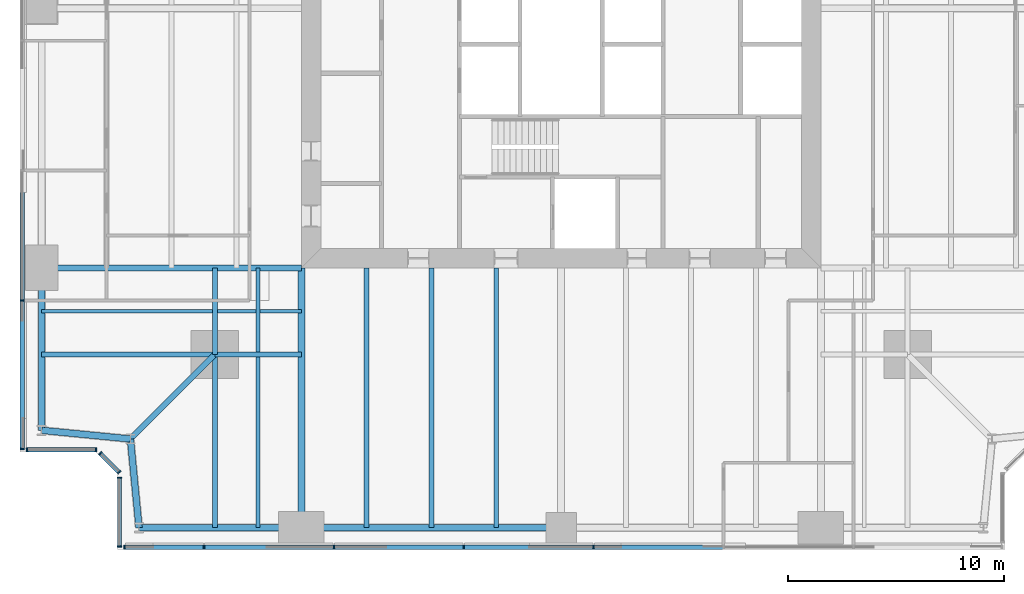
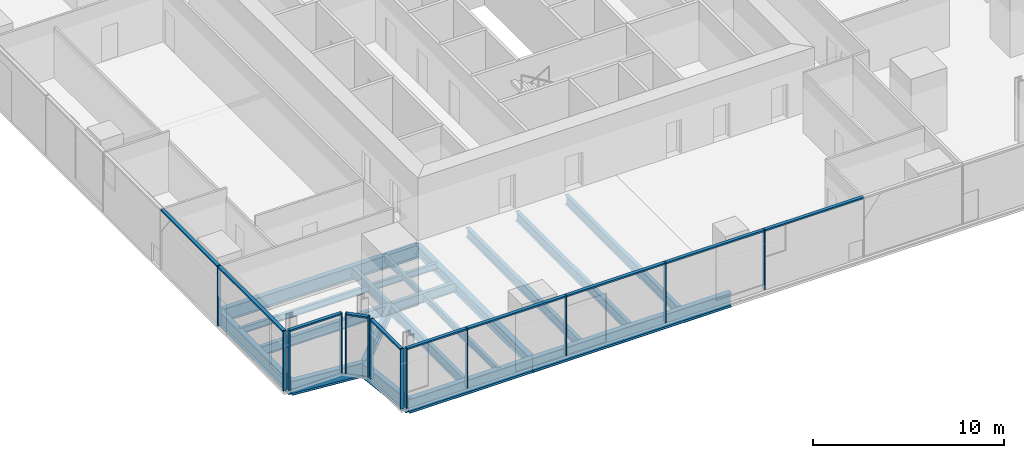
# One storey, part 2 of 14: 23 members, 20 beams, 5 elements without a shape of their own.
"""IFC4 building model written with IfcOpenShell, lengths in metres."""

from ifc_helpers import new_model, si_unit, direction, frame, origin, origin_2d, place, context, subcontext, project, spatial, rectangle, i_section, extrude, material, material_profile, profile_set, type_object, element, aggregate, save


model = new_model("IFC4")

# Units and contexts
model_context = context("Model", 3, precision=1e-05, world=origin(), true_north=direction((0.0, 1.0)))
body_context = subcontext(model_context, "Body", "Model", "MODEL_VIEW")
ifc_project = project(units=[si_unit("LENGTHUNIT", "METRE"), si_unit("AREAUNIT", "SQUARE_METRE"), si_unit("VOLUMEUNIT", "CUBIC_METRE"), si_unit("PLANEANGLEUNIT", "RADIAN"), si_unit("MASSUNIT", "GRAM", prefix="KILO")], contexts=[model_context])

# Site, building, storey
site_placement = place(None, origin())
site = spatial("IfcSite", under=ifc_project, at=site_placement, CompositionType="ELEMENT")
building_placement = place(site_placement, origin())
building = spatial("IfcBuilding", under=site, at=building_placement, Name="Fenwick Lantern Interchange", CompositionType="ELEMENT")
storey_placement = place(building_placement, frame((0.0, 0.0, 118.39990234375)))
storey = spatial("IfcBuildingStorey", under=building, at=storey_placement, Name="L27", CompositionType="ELEMENT", Elevation=118.39990234375)

# Beams
ifc_material_1 = material(Name="Steel ASTM A992 Grade 50", Category="steel")
ifc_material_profile_1 = material_profile(ifc_material_1, i_section(OverallWidth=0.3046875, OverallDepth=0.911865234375, WebThickness=0.015869140625, FlangeThickness=0.02392578125, at=origin_2d()), Name="W36X150")
ifc_profile_set_1 = profile_set([ifc_material_profile_1], Name="Steel ASTM A992 Grade 50")
beam_type_1 = type_object("IfcBeamType", Name="EDGE BEAM W36X150", PredefinedType="SPANDREL", material=ifc_profile_set_1)
beam_1_placement = place(storey_placement, frame((5.5, 1.0, -0.605712890625), z_axis=(1.0, 0.0, 0.0), x_axis=(0.0, 1.0, 0.0)))
element("IfcBeam", 1, at=beam_1_placement, inside=storey, type_object=beam_type_1, Name="L27/FR/S/EB1", PredefinedType="SPANDREL", context=body_context, shape_type="SweptSolid", body=[
    extrude(i_section(OverallWidth=0.3046875, OverallDepth=0.911865234375, WebThickness=0.015869140625, FlangeThickness=0.02392578125, at=origin_2d()), origin(), (0.0, 0.0, 1.0), 7.5),
])
beam_2_placement = place(storey_placement, frame((13.0, 1.0, -0.605712890625), z_axis=(1.0, 0.0, 0.0), x_axis=(0.0, 1.0, 0.0)))
element("IfcBeam", 2, at=beam_2_placement, inside=storey, type_object=beam_type_1, Name="L27/FR/S/EB2", PredefinedType="SPANDREL", context=body_context, shape_type="SweptSolid", body=[
    extrude(i_section(OverallWidth=0.3046875, OverallDepth=0.911865234375, WebThickness=0.015869140625, FlangeThickness=0.02392578125, at=origin_2d()), origin(), (0.0, 0.0, 1.0), 12.0),
])
beam_3_placement = place(storey_placement, frame((1.0, 13.0, -0.605712890625), z_axis=(0.0, -1.0, 0.0), x_axis=(1.0, 0.0, 0.0)))
element("IfcBeam", 3, at=beam_3_placement, inside=storey, type_object=beam_type_1, Name="L27/FR/W/EB4", PredefinedType="SPANDREL", context=body_context, shape_type="SweptSolid", body=[
    extrude(i_section(OverallWidth=0.3046875, OverallDepth=0.911865234375, WebThickness=0.015869140625, FlangeThickness=0.02392578125, at=origin_2d()), origin(), (0.0, 0.0, 1.0), 7.5),
])
for number, where, z_axis, x_axis, name in (
    (4, (1.0, 5.5, -0.605712890625), (0.995277148028, -0.097074191287, 0.0), (0.097074191287, 0.995277148028, 0.0), "L27/FR/W/EBR1"),
    (5, (5.10009765625, 5.10009765625, -0.605712890625), (0.097074191287, -0.995277148028, 0.0), (0.995277148028, 0.097074191287, 0.0), "L27/FR/W/EBR2"),
):
    element("IfcBeam", number, at=place(storey_placement, frame(where, z_axis=z_axis, x_axis=x_axis)), inside=storey, type_object=beam_type_1, Name=name, PredefinedType="SPANDREL", context=body_context, shape_type="SweptSolid", body=[
        extrude(i_section(OverallWidth=0.3046875, OverallDepth=0.911865234375, WebThickness=0.015869140625, FlangeThickness=0.02392578125, at=origin_2d()), origin(), (0.0, 0.0, 1.0), 4.11962890625),
    ])
ifc_material_profile_2 = material_profile(ifc_material_1, i_section(OverallWidth=0.22900390625, OverallDepth=0.612060546875, WebThickness=0.011962890625, FlangeThickness=0.01953125, at=origin_2d()), Name="W24X84")
ifc_profile_set_2 = profile_set([ifc_material_profile_2], Name="Steel ASTM A992 Grade 50")
beam_type_2 = type_object("IfcBeamType", Name="FLOOR BEAM W24X84", PredefinedType="BEAM", material=ifc_profile_set_2)
for number, where, z_axis, x_axis, name in (
    (6, (16.0, 1.0, -0.4560546875), (0.0, 1.0, 0.0), (-1.0, 0.0, 0.0), "L27/FR/S/R02"),
    (7, (19.0, 1.0, -0.4560546875), (0.0, 1.0, 0.0), (-1.0, 0.0, 0.0), "L27/FR/S/R03"),
    (8, (22.0, 1.0, -0.4560546875), (0.0, 1.0, 0.0), (-1.0, 0.0, 0.0), "L27/FR/S/R04"),
):
    element("IfcBeam", number, at=place(storey_placement, frame(where, z_axis=z_axis, x_axis=x_axis)), inside=storey, type_object=beam_type_2, Name=name, PredefinedType="BEAM", context=body_context, shape_type="SweptSolid", body=[
        extrude(i_section(OverallWidth=0.22900390625, OverallDepth=0.612060546875, WebThickness=0.011962890625, FlangeThickness=0.01953125, at=origin_2d()), origin(), (0.0, 0.0, 1.0), 12.0),
    ])
ifc_material_profile_3 = material_profile(ifc_material_1, i_section(OverallWidth=0.177734375, OverallDepth=0.406494140625, WebThickness=0.0078125, FlangeThickness=0.012939453125, at=origin_2d()), Name="W16X40")
ifc_profile_set_3 = profile_set([ifc_material_profile_3], Name="Steel ASTM A992 Grade 50")
beam_type_3 = type_object("IfcBeamType", Name="INFILL BEAM W16X40", PredefinedType="JOIST", material=ifc_profile_set_3)
beam_4_placement = place(storey_placement, frame((11.0, 1.0, -0.35302734375), z_axis=(0.0, 1.0, 0.0), x_axis=(-1.0, 0.0, 0.0)))
element("IfcBeam", 9, at=beam_4_placement, inside=storey, type_object=beam_type_3, Name="L27/FR/S/J1", PredefinedType="JOIST", context=body_context, shape_type="SweptSolid", body=[
    extrude(i_section(OverallWidth=0.177734375, OverallDepth=0.406494140625, WebThickness=0.0078125, FlangeThickness=0.012939453125, at=origin_2d()), origin(), (0.0, 0.0, 1.0), 7.885498046875),
])
beam_5_placement = place(storey_placement, frame((11.0, 9.114501953125, -0.35302734375), z_axis=(0.0, 1.0, 0.0), x_axis=(-1.0, 0.0, 0.0)))
element("IfcBeam", 10, at=beam_5_placement, inside=storey, type_object=beam_type_3, Name="L27/FR/S/J2", PredefinedType="JOIST", context=body_context, shape_type="SweptSolid", body=[
    extrude(i_section(OverallWidth=0.177734375, OverallDepth=0.406494140625, WebThickness=0.0078125, FlangeThickness=0.012939453125, at=origin_2d()), origin(), (0.0, 0.0, 1.0), 3.885498046875),
])
beam_6_placement = place(storey_placement, frame((1.0, 11.0, -0.35302734375), z_axis=(1.0, 0.0, 0.0), x_axis=(0.0, 1.0, 0.0)))
element("IfcBeam", 11, at=beam_6_placement, inside=storey, type_object=beam_type_3, Name="L27/FR/S/J3", PredefinedType="JOIST", context=body_context, shape_type="SweptSolid", body=[
    extrude(i_section(OverallWidth=0.177734375, OverallDepth=0.406494140625, WebThickness=0.0078125, FlangeThickness=0.012939453125, at=origin_2d()), origin(), (0.0, 0.0, 1.0), 7.885498046875),
])
beam_7_placement = place(storey_placement, frame((9.114501953125, 11.0, -0.35302734375), z_axis=(1.0, 0.0, 0.0), x_axis=(0.0, 1.0, 0.0)))
element("IfcBeam", 12, at=beam_7_placement, inside=storey, type_object=beam_type_3, Name="L27/FR/S/J4", PredefinedType="JOIST", context=body_context, shape_type="SweptSolid", body=[
    extrude(i_section(OverallWidth=0.177734375, OverallDepth=0.406494140625, WebThickness=0.0078125, FlangeThickness=0.012939453125, at=origin_2d()), origin(), (0.0, 0.0, 1.0), 1.796630859375),
])
beam_8_placement = place(storey_placement, frame((11.0888671875, 11.0, -0.35302734375), z_axis=(1.0, 0.0, 0.0), x_axis=(0.0, 1.0, 0.0)))
element("IfcBeam", 13, at=beam_8_placement, inside=storey, type_object=beam_type_3, Name="L27/FR/S/J5", PredefinedType="JOIST", context=body_context, shape_type="SweptSolid", body=[
    extrude(i_section(OverallWidth=0.177734375, OverallDepth=0.406494140625, WebThickness=0.0078125, FlangeThickness=0.012939453125, at=origin_2d()), origin(), (0.0, 0.0, 1.0), 1.9111328125),
])
ifc_material_profile_4 = material_profile(ifc_material_1, i_section(OverallWidth=0.22900390625, OverallDepth=0.612060546875, WebThickness=0.011962890625, FlangeThickness=0.01953125, at=origin_2d()), Name="W24X84")
ifc_profile_set_4 = profile_set([ifc_material_profile_4], Name="Steel ASTM A992 Grade 50")
beam_type_4 = type_object("IfcBeamType", Name="MEGA COLUMN BEAM W24X84", PredefinedType="BEAM", material=ifc_profile_set_4)
for number, where, z_axis, x_axis, name in (
    (14, (9.0, 9.0, -0.4560546875), (0.0, -1.0, 0.0), (1.0, 0.0, 0.0), "L27/FR/S/MB1"),
    (15, (9.0, 9.0, -0.4560546875), (-1.0, 0.0, 0.0), (0.0, -1.0, 0.0), "L27/FR/S/MB2"),
):
    element("IfcBeam", number, at=place(storey_placement, frame(where, z_axis=z_axis, x_axis=x_axis)), inside=storey, type_object=beam_type_4, Name=name, PredefinedType="BEAM", context=body_context, shape_type="SweptSolid", body=[
        extrude(i_section(OverallWidth=0.22900390625, OverallDepth=0.612060546875, WebThickness=0.011962890625, FlangeThickness=0.01953125, at=origin_2d()), origin(), (0.0, 0.0, 1.0), 8.0),
    ])
for number, where, z_axis, x_axis, name in (
    (16, (9.0, 9.0, -0.4560546875), (1.0, 0.0, 0.0), (0.0, 1.0, 0.0), "L27/FR/S/MB3"),
    (17, (9.0, 9.0, -0.4560546875), (0.0, 1.0, 0.0), (-1.0, 0.0, 0.0), "L27/FR/S/MB4"),
):
    element("IfcBeam", number, at=place(storey_placement, frame(where, z_axis=z_axis, x_axis=x_axis)), inside=storey, type_object=beam_type_4, Name=name, PredefinedType="BEAM", context=body_context, shape_type="SweptSolid", body=[
        extrude(i_section(OverallWidth=0.22900390625, OverallDepth=0.612060546875, WebThickness=0.011962890625, FlangeThickness=0.01953125, at=origin_2d()), origin(), (0.0, 0.0, 1.0), 4.0),
    ])
ifc_material_profile_5 = material_profile(ifc_material_1, i_section(OverallWidth=0.32763671875, OverallDepth=0.622314453125, WebThickness=0.015380859375, FlangeThickness=0.0244140625, at=origin_2d()), Name="W24X131")
ifc_profile_set_5 = profile_set([ifc_material_profile_5], Name="Steel ASTM A992 Grade 50")
beam_type_5 = type_object("IfcBeamType", Name="MOMENT-CONNECTED GIRDER W24X131", PredefinedType="BEAM", material=ifc_profile_set_5)
beam_9_placement = place(storey_placement, frame((13.0, 1.0, -0.4609375), z_axis=(0.0, 1.0, 0.0), x_axis=(-1.0, 0.0, 0.0)))
element("IfcBeam", 18, at=beam_9_placement, inside=storey, type_object=beam_type_5, Name="L27/FR/S/R01", PredefinedType="BEAM", context=body_context, shape_type="SweptSolid", body=[
    extrude(i_section(OverallWidth=0.32763671875, OverallDepth=0.622314453125, WebThickness=0.015380859375, FlangeThickness=0.0244140625, at=origin_2d()), origin(), (0.0, 0.0, 1.0), 12.0),
])
ifc_material_profile_6 = material_profile(ifc_material_1, i_section(OverallWidth=0.2919921875, OverallDepth=0.845703125, WebThickness=0.015380859375, FlangeThickness=0.0244140625, at=origin_2d()), Name="W33X141")
ifc_profile_set_6 = profile_set([ifc_material_profile_6], Name="Steel ASTM A992 Grade 50")
beam_type_6 = type_object("IfcBeamType", Name="MOMENT-CONNECTED GIRDER W33X141", PredefinedType="BEAM", material=ifc_profile_set_6)
beam_10_placement = place(storey_placement, frame((1.0, 13.0, -0.57275390625), z_axis=(1.0, 0.0, 0.0), x_axis=(0.0, 1.0, 0.0)))
element("IfcBeam", 19, at=beam_10_placement, inside=storey, type_object=beam_type_6, Name="L27/FR/W/R03", PredefinedType="BEAM", context=body_context, shape_type="SweptSolid", body=[
    extrude(i_section(OverallWidth=0.2919921875, OverallDepth=0.845703125, WebThickness=0.015380859375, FlangeThickness=0.0244140625, at=origin_2d()), origin(), (0.0, 0.0, 1.0), 12.0),
])
ifc_material_profile_7 = material_profile(ifc_material_1, i_section(OverallWidth=0.2666015625, OverallDepth=0.7568359375, WebThickness=0.013916015625, FlangeThickness=0.019287109375, at=origin_2d()), Name="W30X108")
ifc_profile_set_7 = profile_set([ifc_material_profile_7], Name="Steel ASTM A992 Grade 50")
beam_type_7 = type_object("IfcBeamType", Name="NOTCH BEAM W30X108", PredefinedType="BEAM", material=ifc_profile_set_7)
beam_11_placement = place(storey_placement, frame((9.0, 9.0, -0.5283203125), z_axis=(-0.707106781187, -0.707106781187, 0.0), x_axis=(0.707106781187, -0.707106781187, 0.0)))
element("IfcBeam", 20, at=beam_11_placement, inside=storey, type_object=beam_type_7, Name="L27/FR/S/TG", PredefinedType="BEAM", context=body_context, shape_type="SweptSolid", body=[
    extrude(i_section(OverallWidth=0.2666015625, OverallDepth=0.7568359375, WebThickness=0.013916015625, FlangeThickness=0.019287109375, at=origin_2d()), origin(), (0.0, 0.0, 1.0), 5.515380859375),
])

# Curtain wall, members
ifc_material_2 = material(Name="Aluminium curtain wall frame", Category="aluminium")
curtain_wall_type = type_object("IfcCurtainWallType", Name="OFFICE CURTAIN WALL", PredefinedType="USERDEFINED", material=ifc_material_2)
curtain_wall_1_placement = place(storey_placement, origin())
curtain_wall_1 = element("IfcCurtainWall", 21, at=curtain_wall_1_placement, inside=storey, type_object=curtain_wall_type, Name="Office curtain wall 01", ObjectType="OFFICE CURTAIN WALL", PredefinedType="USERDEFINED")
ifc_material_3 = material(Name="Aluminium extrusion", Category="aluminium")
ifc_material_profile_8 = material_profile(ifc_material_3, rectangle(XDim=0.199951171875, YDim=0.06494140625, at=origin_2d()), Name="OFFICE CURTAIN WALL MULLION 65 X 200")
ifc_profile_set_8 = profile_set([ifc_material_profile_8], Name="Aluminium extrusion")
member_type_1 = type_object("IfcMemberType", Name="OFFICE CURTAIN WALL MULLION 65 X 200", PredefinedType="MULLION", material=ifc_profile_set_8)
member_1_placement = place(storey_placement, frame((4.83251953125, 0.10009765625, 0.0), z_axis=(0.0, 0.0, 1.0), x_axis=(0.0, 1.0, 0.0)))
member_1 = element("IfcMember", 22, at=member_1_placement, type_object=member_type_1, Name="L27/CW/01/M00", PredefinedType="MULLION", context=body_context, shape_type="SweptSolid", body=[
    extrude(rectangle(XDim=0.199951171875, YDim=0.06494140625, at=origin_2d()), origin(), (0.0, 0.0, 1.0), 3.85009765625),
])
member_2_placement = place(storey_placement, frame((8.5, 0.10009765625, 0.0), z_axis=(0.0, 0.0, 1.0), x_axis=(0.0, 1.0, 0.0)))
member_2 = element("IfcMember", 23, at=member_2_placement, type_object=member_type_1, Name="L27/CW/01/M01", PredefinedType="MULLION", context=body_context, shape_type="SweptSolid", body=[
    extrude(rectangle(XDim=0.199951171875, YDim=0.06494140625, at=origin_2d()), origin(), (0.0, 0.0, 1.0), 3.85009765625),
])
member_3_placement = place(storey_placement, frame((14.5, 0.10009765625, 0.0), z_axis=(0.0, 0.0, 1.0), x_axis=(0.0, 1.0, 0.0)))
member_3 = element("IfcMember", 24, at=member_3_placement, type_object=member_type_1, Name="L27/CW/01/M02", PredefinedType="MULLION", context=body_context, shape_type="SweptSolid", body=[
    extrude(rectangle(XDim=0.199951171875, YDim=0.06494140625, at=origin_2d()), origin(), (0.0, 0.0, 1.0), 3.85009765625),
])
member_4_placement = place(storey_placement, frame((20.5, 0.10009765625, 0.0), z_axis=(0.0, 0.0, 1.0), x_axis=(0.0, 1.0, 0.0)))
member_4 = element("IfcMember", 25, at=member_4_placement, type_object=member_type_1, Name="L27/CW/01/M03", PredefinedType="MULLION", context=body_context, shape_type="SweptSolid", body=[
    extrude(rectangle(XDim=0.199951171875, YDim=0.06494140625, at=origin_2d()), origin(), (0.0, 0.0, 1.0), 3.85009765625),
])
member_5_placement = place(storey_placement, frame((26.5, 0.10009765625, 0.0), z_axis=(0.0, 0.0, 1.0), x_axis=(0.0, 1.0, 0.0)))
member_5 = element("IfcMember", 26, at=member_5_placement, type_object=member_type_1, Name="L27/CW/01/M04", PredefinedType="MULLION", context=body_context, shape_type="SweptSolid", body=[
    extrude(rectangle(XDim=0.199951171875, YDim=0.06494140625, at=origin_2d()), origin(), (0.0, 0.0, 1.0), 3.85009765625),
])

curtain_wall_2_placement = place(storey_placement, origin())
curtain_wall_2 = element("IfcCurtainWall", 27, at=curtain_wall_2_placement, inside=storey, type_object=curtain_wall_type, Name="Office curtain wall 13", ObjectType="OFFICE CURTAIN WALL", PredefinedType="USERDEFINED")
member_6_placement = place(storey_placement, frame((0.10009765625, 11.5, 0.0), z_axis=(0.0, 0.0, 1.0), x_axis=(1.0, 0.0, 0.0)))
member_6 = element("IfcMember", 28, at=member_6_placement, type_object=member_type_1, Name="L27/CW/13/M06", PredefinedType="MULLION", context=body_context, shape_type="SweptSolid", body=[
    extrude(rectangle(XDim=0.199951171875, YDim=0.06494140625, at=origin_2d()), origin(), (0.0, 0.0, 1.0), 3.85009765625),
])
member_7_placement = place(storey_placement, frame((0.10009765625, 4.632568359375, 0.0), z_axis=(0.0, 0.0, 1.0), x_axis=(1.0, 0.0, 0.0)))
member_7 = element("IfcMember", 29, at=member_7_placement, type_object=member_type_1, Name="L27/CW/13/M07", PredefinedType="MULLION", context=body_context, shape_type="SweptSolid", body=[
    extrude(rectangle(XDim=0.199951171875, YDim=0.06494140625, at=origin_2d()), origin(), (0.0, 0.0, 1.0), 3.85009765625),
])

curtain_wall_3_placement = place(storey_placement, origin())
curtain_wall_3 = element("IfcCurtainWall", 30, at=curtain_wall_3_placement, inside=storey, type_object=curtain_wall_type, Name="Office curtain wall 14", ObjectType="OFFICE CURTAIN WALL", PredefinedType="USERDEFINED")
member_8_placement = place(storey_placement, frame((0.33251953125, 4.60009765625, 0.0), z_axis=(0.0, 0.0, 1.0), x_axis=(0.0, 1.0, 0.0)))
member_8 = element("IfcMember", 31, at=member_8_placement, type_object=member_type_1, Name="L27/CW/14/M00", PredefinedType="MULLION", context=body_context, shape_type="SweptSolid", body=[
    extrude(rectangle(XDim=0.199951171875, YDim=0.06494140625, at=origin_2d()), origin(), (0.0, 0.0, 1.0), 3.85009765625),
])
member_9_placement = place(storey_placement, frame((3.509033203125, 4.60009765625, 0.0), z_axis=(0.0, 0.0, 1.0), x_axis=(0.0, 1.0, 0.0)))
member_9 = element("IfcMember", 32, at=member_9_placement, type_object=member_type_1, Name="L27/CW/14/M01", PredefinedType="MULLION", context=body_context, shape_type="SweptSolid", body=[
    extrude(rectangle(XDim=0.199951171875, YDim=0.06494140625, at=origin_2d()), origin(), (0.0, 0.0, 1.0), 3.85009765625),
])

curtain_wall_4_placement = place(storey_placement, origin())
curtain_wall_4 = element("IfcCurtainWall", 33, at=curtain_wall_4_placement, inside=storey, type_object=curtain_wall_type, Name="Office curtain wall 15", ObjectType="OFFICE CURTAIN WALL", PredefinedType="USERDEFINED")
member_10_placement = place(storey_placement, frame((3.705810546875, 4.435546875, 0.0), z_axis=(0.0, 0.0, 1.0), x_axis=(0.707106781187, 0.707106781187, 0.0)))
member_10 = element("IfcMember", 34, at=member_10_placement, type_object=member_type_1, Name="L27/CW/15/M00", PredefinedType="MULLION", context=body_context, shape_type="SweptSolid", body=[
    extrude(rectangle(XDim=0.199951171875, YDim=0.06494140625, at=origin_2d()), origin(), (0.0, 0.0, 1.0), 3.85009765625),
])
member_11_placement = place(storey_placement, frame((4.576904296875, 3.564453125, 0.0), z_axis=(0.0, 0.0, 1.0), x_axis=(0.707106781187, 0.707106781187, 0.0)))
member_11 = element("IfcMember", 35, at=member_11_placement, type_object=member_type_1, Name="L27/CW/15/M01", PredefinedType="MULLION", context=body_context, shape_type="SweptSolid", body=[
    extrude(rectangle(XDim=0.199951171875, YDim=0.06494140625, at=origin_2d()), origin(), (0.0, 0.0, 1.0), 3.85009765625),
])

curtain_wall_5_placement = place(storey_placement, origin())
curtain_wall_5 = element("IfcCurtainWall", 36, at=curtain_wall_5_placement, inside=storey, type_object=curtain_wall_type, Name="Office curtain wall 16", ObjectType="OFFICE CURTAIN WALL", PredefinedType="USERDEFINED")
member_12_placement = place(storey_placement, frame((4.60009765625, 3.308837890625, 0.0), z_axis=(0.0, 0.0, 1.0), x_axis=(1.0, 0.0, 0.0)))
member_12 = element("IfcMember", 37, at=member_12_placement, type_object=member_type_1, Name="L27/CW/16/M00", PredefinedType="MULLION", context=body_context, shape_type="SweptSolid", body=[
    extrude(rectangle(XDim=0.199951171875, YDim=0.06494140625, at=origin_2d()), origin(), (0.0, 0.0, 1.0), 3.85009765625),
])
member_13_placement = place(storey_placement, frame((4.60009765625, 0.132568359375, 0.0), z_axis=(0.0, 0.0, 1.0), x_axis=(1.0, 0.0, 0.0)))
member_13 = element("IfcMember", 38, at=member_13_placement, type_object=member_type_1, Name="L27/CW/16/M01", PredefinedType="MULLION", context=body_context, shape_type="SweptSolid", body=[
    extrude(rectangle(XDim=0.199951171875, YDim=0.06494140625, at=origin_2d()), origin(), (0.0, 0.0, 1.0), 3.85009765625),
])

# Member
ifc_material_profile_9 = material_profile(ifc_material_3, rectangle(XDim=0.199951171875, YDim=0.10009765625, at=origin_2d()), Name="OFFICE CURTAIN WALL TRANSOM 100 X 200")
ifc_profile_set_9 = profile_set([ifc_material_profile_9], Name="Aluminium extrusion")
member_type_2 = type_object("IfcMemberType", Name="OFFICE CURTAIN WALL TRANSOM 100 X 200", PredefinedType="MULLION", material=ifc_profile_set_9)
member_14_placement = place(storey_placement, frame((4.864990234375, 0.10009765625, 3.800048828125), z_axis=(1.0, 0.0, 0.0), x_axis=(0.0, 1.0, 0.0)))
member_14 = element("IfcMember", 39, at=member_14_placement, type_object=member_type_2, Name="L27/CW/01/T00", PredefinedType="MULLION", context=body_context, shape_type="SweptSolid", body=[
    extrude(rectangle(XDim=0.199951171875, YDim=0.10009765625, at=origin_2d()), origin(), (0.0, 0.0, 1.0), 3.6025390625),
])

member_15_placement = place(storey_placement, frame((8.532470703125, 0.10009765625, 3.800048828125), z_axis=(1.0, 0.0, 0.0), x_axis=(0.0, 1.0, 0.0)))
member_15 = element("IfcMember", 40, at=member_15_placement, type_object=member_type_2, Name="L27/CW/01/T01", PredefinedType="MULLION", context=body_context, shape_type="SweptSolid", body=[
    extrude(rectangle(XDim=0.199951171875, YDim=0.10009765625, at=origin_2d()), origin(), (0.0, 0.0, 1.0), 5.93505859375),
])

member_16_placement = place(storey_placement, frame((14.532470703125, 0.10009765625, 3.800048828125), z_axis=(1.0, 0.0, 0.0), x_axis=(0.0, 1.0, 0.0)))
member_16 = element("IfcMember", 41, at=member_16_placement, type_object=member_type_2, Name="L27/CW/01/T02", PredefinedType="MULLION", context=body_context, shape_type="SweptSolid", body=[
    extrude(rectangle(XDim=0.199951171875, YDim=0.10009765625, at=origin_2d()), origin(), (0.0, 0.0, 1.0), 5.93505859375),
])

member_17_placement = place(storey_placement, frame((20.532470703125, 0.10009765625, 3.800048828125), z_axis=(1.0, 0.0, 0.0), x_axis=(0.0, 1.0, 0.0)))
member_17 = element("IfcMember", 42, at=member_17_placement, type_object=member_type_2, Name="L27/CW/01/T03", PredefinedType="MULLION", context=body_context, shape_type="SweptSolid", body=[
    extrude(rectangle(XDim=0.199951171875, YDim=0.10009765625, at=origin_2d()), origin(), (0.0, 0.0, 1.0), 5.93505859375),
])

member_18_placement = place(storey_placement, frame((26.532470703125, 0.10009765625, 3.800048828125), z_axis=(1.0, 0.0, 0.0), x_axis=(0.0, 1.0, 0.0)))
member_18 = element("IfcMember", 43, at=member_18_placement, type_object=member_type_2, Name="L27/CW/01/T04", PredefinedType="MULLION", context=body_context, shape_type="SweptSolid", body=[
    extrude(rectangle(XDim=0.199951171875, YDim=0.10009765625, at=origin_2d()), origin(), (0.0, 0.0, 1.0), 5.93505859375),
])

aggregate(curtain_wall_1, [member_1, member_2, member_3, member_4, member_5, member_14, member_15, member_16, member_17, member_18])

member_19_placement = place(storey_placement, frame((0.10009765625, 17.467529296875, 3.800048828125), z_axis=(0.0, -1.0, 0.0), x_axis=(1.0, 0.0, 0.0)))
member_19 = element("IfcMember", 44, at=member_19_placement, type_object=member_type_2, Name="L27/CW/13/T05", PredefinedType="MULLION", context=body_context, shape_type="SweptSolid", body=[
    extrude(rectangle(XDim=0.199951171875, YDim=0.10009765625, at=origin_2d()), origin(), (0.0, 0.0, 1.0), 5.93505859375),
])

member_20_placement = place(storey_placement, frame((0.10009765625, 11.467529296875, 3.800048828125), z_axis=(0.0, -1.0, 0.0), x_axis=(1.0, 0.0, 0.0)))
member_20 = element("IfcMember", 45, at=member_20_placement, type_object=member_type_2, Name="L27/CW/13/T06", PredefinedType="MULLION", context=body_context, shape_type="SweptSolid", body=[
    extrude(rectangle(XDim=0.199951171875, YDim=0.10009765625, at=origin_2d()), origin(), (0.0, 0.0, 1.0), 6.802490234375),
])

aggregate(curtain_wall_2, [member_6, member_7, member_19, member_20])

member_21_placement = place(storey_placement, frame((0.364990234375, 4.60009765625, 3.800048828125), z_axis=(1.0, 0.0, 0.0), x_axis=(0.0, 1.0, 0.0)))
member_21 = element("IfcMember", 46, at=member_21_placement, type_object=member_type_2, Name="L27/CW/14/T00", PredefinedType="MULLION", context=body_context, shape_type="SweptSolid", body=[
    extrude(rectangle(XDim=0.199951171875, YDim=0.10009765625, at=origin_2d()), origin(), (0.0, 0.0, 1.0), 3.111328125),
])

aggregate(curtain_wall_3, [member_8, member_9, member_21])

member_22_placement = place(storey_placement, frame((3.728759765625, 4.41259765625, 3.800048828125), z_axis=(0.707106781187, -0.707106781187, 0.0), x_axis=(0.707106781187, 0.707106781187, 0.0)))
member_22 = element("IfcMember", 47, at=member_22_placement, type_object=member_type_2, Name="L27/CW/15/T00", PredefinedType="MULLION", context=body_context, shape_type="SweptSolid", body=[
    extrude(rectangle(XDim=0.199951171875, YDim=0.10009765625, at=origin_2d()), origin(), (0.0, 0.0, 1.0), 1.1669921875),
])

aggregate(curtain_wall_4, [member_10, member_11, member_22])

member_23_placement = place(storey_placement, frame((4.60009765625, 3.2763671875, 3.800048828125), z_axis=(0.0, -1.0, 0.0), x_axis=(1.0, 0.0, 0.0)))
member_23 = element("IfcMember", 48, at=member_23_placement, type_object=member_type_2, Name="L27/CW/16/T00", PredefinedType="MULLION", context=body_context, shape_type="SweptSolid", body=[
    extrude(rectangle(XDim=0.199951171875, YDim=0.10009765625, at=origin_2d()), origin(), (0.0, 0.0, 1.0), 3.111328125),
])

aggregate(curtain_wall_5, [member_12, member_13, member_23])

save(model, "model.ifc")
